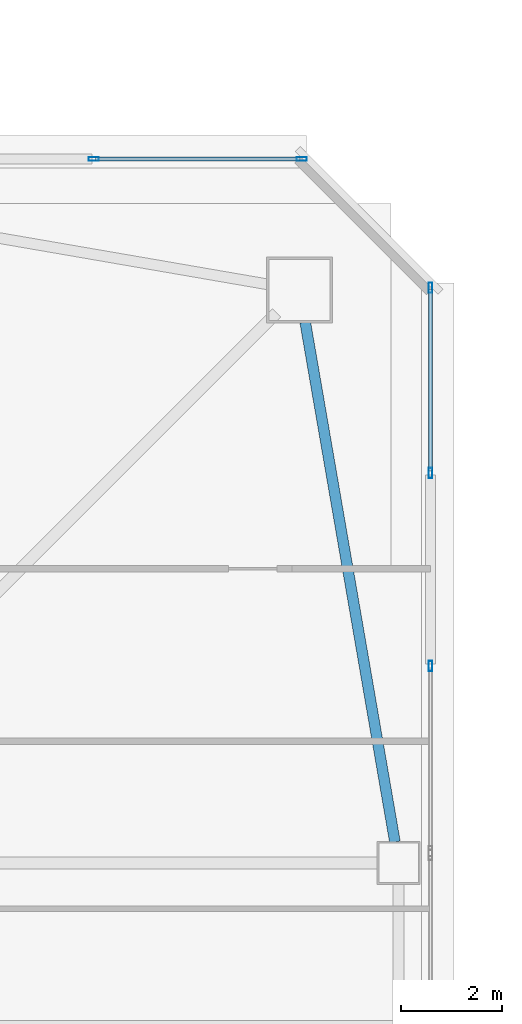
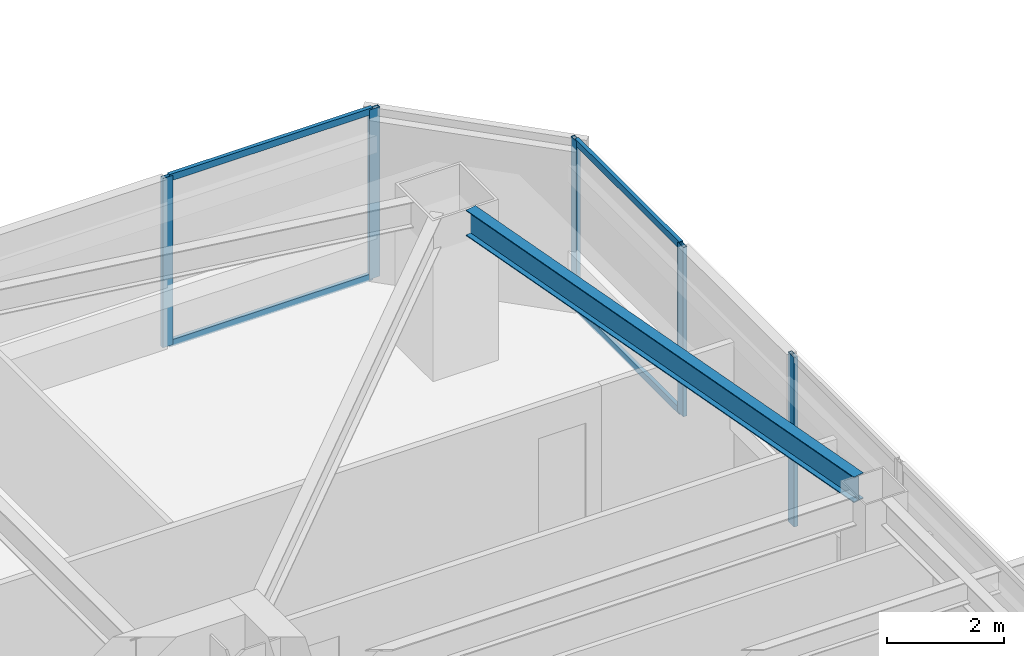
# One storey, part 18 of 46: 9 members, 1 beam, 3 elements without a shape of their own.
"""IFC4 building model written with IfcOpenShell, lengths in metres."""

import ifcopenshell
import ifcopenshell.guid

model = None  # the IFC model being written
_history = None  # IfcOwnerHistory: only IFC2X3 demands one
_inside = {}  # id of a spatial element -> (the spatial element, [elements in it])
_under = {}  # id of a project, library or spatial element -> (it, [spatial elements below it])
_declared = {}  # id of a project -> (the project, [libraries it declares])
_typed = {}  # id of a type object -> (the type object, [elements of that type])
_made_of = {}  # id of a material, layer set ... -> (it, [elements and type objects made of it])


def new_model(schema):
    """Start an empty IFC model of exactly this schema.

    Asked for "IFC4X3", IfcOpenShell would pick the latest addendum, in which some entities
    have other attributes; the version numbers below select the first issue.
    IFC2X3 requires an IfcOwnerHistory on every rooted entity: one is made here for all.
    """
    global model, _history
    if schema == "IFC4X3":
        model = ifcopenshell.file(schema_version=(4, 3, 0, 0))
    else:
        model = ifcopenshell.file(schema=schema)
    _inside.clear()
    _under.clear()
    _declared.clear()
    _typed.clear()
    _made_of.clear()
    _history = None
    if model.schema == "IFC2X3":
        org = make("IfcOrganization", Name="unknown")
        user = make(
            "IfcPersonAndOrganization",
            ThePerson=make("IfcPerson", FamilyName="unknown"),
            TheOrganization=org,
        )
        app = make(
            "IfcApplication",
            ApplicationDeveloper=org,
            Version="unknown",
            ApplicationFullName="unknown",
            ApplicationIdentifier="unknown",
        )
        _history = make(
            "IfcOwnerHistory",
            OwningUser=user,
            OwningApplication=app,
            ChangeAction="ADDED",
            CreationDate=0,
        )
    return model


def make(cls, **values):
    """One entity of the class cls with the attributes given. An attribute that is None is left unset."""
    return model.create_entity(
        cls, **{name: value for name, value in values.items() if value is not None}
    )


def rooted(cls, **values):
    """An entity with a GlobalId (a new one), such as an element, a storey or a relation."""
    return make(cls, GlobalId=ifcopenshell.guid.new(), OwnerHistory=_history, **values)


def si_unit(unit_type, name, prefix=None):
    """IfcSIUnit, for example si_unit("LENGTHUNIT", "METRE", prefix="MILLI")."""
    return make("IfcSIUnit", UnitType=unit_type, Prefix=prefix, Name=name)


def assignment(units):
    """IfcUnitAssignment: the units of a project."""
    return None if units is None else make("IfcUnitAssignment", Units=units)


def point(xyz):
    """IfcCartesianPoint."""
    return None if xyz is None else make("IfcCartesianPoint", Coordinates=xyz)


def direction(xyz):
    """IfcDirection."""
    return None if xyz is None else make("IfcDirection", DirectionRatios=xyz)


def frame(location, z_axis=None, x_axis=None):
    """IfcAxis2Placement3D, a coordinate frame: its origin and axes. An axis left out is left unset."""
    return make(
        "IfcAxis2Placement3D",
        Location=point(location),
        Axis=direction(z_axis),
        RefDirection=direction(x_axis),
    )


def frame_2d(location, x_axis=None):
    """IfcAxis2Placement2D, a coordinate frame in the plane: its origin and x axis."""
    return make(
        "IfcAxis2Placement2D", Location=point(location), RefDirection=direction(x_axis)
    )


def origin():
    """The frame at (0, 0, 0) with its axes left unset."""
    return frame((0.0, 0.0, 0.0))


def origin_2d():
    """The frame at (0, 0) in the plane with its x axis left unset."""
    return frame_2d((0.0, 0.0))


def place(relative_to, where):
    """IfcLocalPlacement: puts the frame where relative to a parent placement (None: the world)."""
    return make(
        "IfcLocalPlacement", PlacementRelTo=relative_to, RelativePlacement=where
    )


def context(
    kind, dimensions, precision=None, world=None, true_north=None, identifier=None
):
    """IfcGeometricRepresentationContext, for example the 3D "Model" context."""
    return make(
        "IfcGeometricRepresentationContext",
        ContextIdentifier=identifier,
        ContextType=kind,
        CoordinateSpaceDimension=dimensions,
        Precision=precision,
        WorldCoordinateSystem=world,
        TrueNorth=true_north,
    )


def subcontext(parent, identifier, kind, view, scale=None):
    """IfcGeometricRepresentationSubContext, for example "Body" below "Model"."""
    return make(
        "IfcGeometricRepresentationSubContext",
        ContextIdentifier=identifier,
        ContextType=kind,
        ParentContext=parent,
        TargetScale=scale,
        TargetView=view,
    )


def project(units=None, contexts=None):
    """IfcProject with its units and contexts."""
    return rooted(
        "IfcProject",
        Name="project",
        RepresentationContexts=contexts,
        UnitsInContext=assignment(units),
    )


def spatial(cls, under=None, at=None, **own):
    """A site, building, storey or space (cls), placed at a placement, below another one or the project."""
    s = rooted(cls, ObjectPlacement=at, **own)
    if under is not None:
        _under.setdefault(under.id(), (under, []))[1].append(s)
    return s


def profile(cls, at=None, kind="AREA", **sizes):
    """A parametric profile (cls). Its sizes go by their IFC names, for example OverallWidth=200.0."""
    return make(cls, ProfileType=kind, Position=at, **sizes)


def hollow_rectangle(**sizes):
    """IfcRectangleHollowProfileDef."""
    return profile("IfcRectangleHollowProfileDef", **sizes)


def i_section(**sizes):
    """IfcIShapeProfileDef."""
    return profile("IfcIShapeProfileDef", **sizes)


def extrude(swept, where, along, depth):
    """IfcExtrudedAreaSolid: the profile swept, set in the frame where, extruded along a direction by depth."""
    return make(
        "IfcExtrudedAreaSolid",
        SweptArea=swept,
        Position=where,
        ExtrudedDirection=direction(along),
        Depth=depth,
    )


def shape(context_of_items, identifier, shape_type, items):
    """IfcShapeRepresentation: the items that make up one representation, for example the "Body"."""
    return make(
        "IfcShapeRepresentation",
        ContextOfItems=context_of_items,
        RepresentationIdentifier=identifier,
        RepresentationType=shape_type,
        Items=items,
    )


def material(Name=None, Category=None):
    """IfcMaterial."""
    return make("IfcMaterial", Name=Name, Category=Category)


def material_profile(
    of_material, cross_section, Name=None, Category=None, Priority=None
):
    """IfcMaterialProfile: a cross section and its material."""
    return make(
        "IfcMaterialProfile",
        Name=Name,
        Material=of_material,
        Profile=cross_section,
        Priority=Priority,
        Category=Category,
    )


def profile_set(profiles, Name=None, composite=None):
    """IfcMaterialProfileSet."""
    return make(
        "IfcMaterialProfileSet",
        Name=Name,
        MaterialProfiles=profiles,
        CompositeProfile=composite,
    )


def made_of(thing, what):
    """Note that an element or type object is made of a material, layer set ...; save() writes the relation."""
    if what is not None:
        _made_of.setdefault(what.id(), (what, []))[1].append(thing)
    return thing


def type_object(cls, material=None, **own):
    """A type object (cls), such as IfcWallType, which elements share."""
    return made_of(rooted(cls, **own), material)


def element(
    cls,
    number,
    at=None,
    inside=None,
    cuts=None,
    type_object=None,
    material=None,
    context=None,
    identifier="Body",
    shape_type=None,
    held_by="IfcProductDefinitionShape",
    body=None,
    shapes=None,
    **own,
):
    """One element of the class cls, such as IfcWall. Its Tag is "e" and its number.

    at: its placement. inside: the storey or other place that contains it. cuts: it is an
    opening in that element (IfcRelVoidsElement). A single representation is given by context,
    identifier, shape_type and body (its items); several are given by shapes. held_by: the class
    of the entity that holds the representations. save() writes the other relations.
    """
    e = rooted(cls, Tag="e%d" % number, ObjectPlacement=at, **own)
    if body is not None:
        shapes = [shape(context, identifier, shape_type, body)]
    if shapes is not None:
        e.Representation = make(held_by, Representations=shapes)
    if inside is not None:
        _inside.setdefault(inside.id(), (inside, []))[1].append(e)
    if cuts is not None:
        rooted(
            "IfcRelVoidsElement", RelatingBuildingElement=cuts, RelatedOpeningElement=e
        )
    if type_object is not None:
        _typed.setdefault(type_object.id(), (type_object, []))[1].append(e)
    return made_of(e, material)


def aggregate(whole, parts):
    """IfcRelAggregates: a whole, such as a stair, and the parts it consists of."""
    return rooted("IfcRelAggregates", RelatingObject=whole, RelatedObjects=parts)


def save(model, path):
    """Write the relations noted so far, then the file.

    IfcRelAggregates (storeys below a building ...), IfcRelContainedInSpatialStructure (elements
    in a storey), IfcRelDefinesByType, IfcRelAssociatesMaterial and IfcRelDeclares: one each for
    every whole, place, type object, material and project.
    """
    for whole, parts in _under.values():
        aggregate(whole, parts)
    for where, things in _inside.values():
        rooted(
            "IfcRelContainedInSpatialStructure",
            RelatedElements=things,
            RelatingStructure=where,
        )
    for kind, things in _typed.values():
        rooted("IfcRelDefinesByType", RelatedObjects=things, RelatingType=kind)
    for what, things in _made_of.values():
        rooted("IfcRelAssociatesMaterial", RelatedObjects=things, RelatingMaterial=what)
    for by, libraries in _declared.values():
        rooted("IfcRelDeclares", RelatingContext=by, RelatedDefinitions=libraries)
    model.write(path)


model = new_model("IFC4")

# Units and contexts
model_context = context("Model", 3, precision=1e-05, world=origin(), true_north=direction((0.0, 1.0)))
body_context = subcontext(model_context, "Body", "Model", "MODEL_VIEW")
ifc_project = project(units=[si_unit("LENGTHUNIT", "METRE"), si_unit("AREAUNIT", "SQUARE_METRE"), si_unit("VOLUMEUNIT", "CUBIC_METRE"), si_unit("PLANEANGLEUNIT", "RADIAN"), si_unit("MASSUNIT", "GRAM", prefix="KILO")], contexts=[model_context])

# Site, building, storey
site_placement = place(None, origin())
site = spatial("IfcSite", under=ifc_project, at=site_placement, CompositionType="ELEMENT")
building_placement = place(site_placement, origin())
building = spatial("IfcBuilding", under=site, at=building_placement, Name="Tashvorn Skyway Center", CompositionType="ELEMENT")
storey_placement = place(building_placement, frame((0.0, 0.0, 139.25)))
storey = spatial("IfcBuildingStorey", under=building, at=storey_placement, Name="L37", CompositionType="ELEMENT", Elevation=139.25)

# Beam
ifc_material_1 = material(Name="Steel ASTM A992 Grade 50", Category="steel")
ifc_material_profile_1 = material_profile(ifc_material_1, i_section(OverallWidth=0.2109375, OverallDepth=0.5390625, WebThickness=0.01171875, FlangeThickness=0.018798828125, at=origin_2d()), Name="W21X73")
ifc_profile_set_1 = profile_set([ifc_material_profile_1], Name="Steel ASTM A992 Grade 50")
beam_type = type_object("IfcBeamType", Name="BM-SPANDREL-W21X73", PredefinedType="SPANDREL", material=ifc_profile_set_1)
beam_placement = place(storey_placement, frame((60.57861328125, 37.81396484375, 3.1005859375), z_axis=(-0.170067250846, 0.985432458462, 0.0), x_axis=(-0.985432458462, -0.170067250846, 0.0)))
element("IfcBeam", 1, at=beam_placement, inside=storey, type_object=beam_type, Name="Tower 1 L37 Spandrel Beam 06", PredefinedType="SPANDREL", context=body_context, shape_type="SweptSolid", body=[
    extrude(i_section(OverallWidth=0.2109375, OverallDepth=0.5390625, WebThickness=0.01171875, FlangeThickness=0.018798828125, at=origin_2d()), origin(), (0.0, 0.0, 1.0), 10.402099609375),
])

# Curtain wall, members
ifc_material_2 = material(Name="Thermally broken bronze-anodized aluminium 6063-T6", Category="aluminium")
curtain_wall_type = type_object("IfcCurtainWallType", Name="CW-CW-Z3", PredefinedType="NOTDEFINED", material=ifc_material_2)
curtain_wall_1_placement = place(storey_placement, origin())
curtain_wall_1 = element("IfcCurtainWall", 2, at=curtain_wall_1_placement, inside=storey, type_object=curtain_wall_type, Name="Tower 1 L37 North Curtain Wall R Glazing Group 2", PredefinedType="NOTDEFINED")
ifc_material_profile_2 = material_profile(ifc_material_2, hollow_rectangle(XDim=0.074951171875, YDim=0.199951171875, WallThickness=0.00439453125, at=origin_2d()), Name="ALU-MULL-75x200")
ifc_profile_set_2 = profile_set([ifc_material_profile_2], Name="Thermally broken bronze-anodized aluminium 6063-T6")
member_type_1 = type_object("IfcMemberType", Name="CWM-CW-Z3", PredefinedType="MULLION", material=ifc_profile_set_2)
member_1_placement = place(storey_placement, frame((54.640869140625, 51.280029296875, 0.0), z_axis=(0.0, 0.0, 1.0), x_axis=(0.0, 1.0, 0.0)))
member_1 = element("IfcMember", 3, at=member_1_placement, type_object=member_type_1, Name="CW-Z3 mullion 1", PredefinedType="MULLION", context=body_context, shape_type="SweptSolid", body=[
    extrude(hollow_rectangle(XDim=0.074951171875, YDim=0.199951171875, WallThickness=0.00439453125, at=origin_2d()), origin(), (0.0, 0.0, 1.0), 3.550048828125),
])
member_2_placement = place(storey_placement, frame((58.742431640625, 51.280029296875, 0.0), z_axis=(0.0, 0.0, 1.0), x_axis=(0.0, 1.0, 0.0)))
member_2 = element("IfcMember", 4, at=member_2_placement, type_object=member_type_1, Name="CW-Z3 mullion 2", PredefinedType="MULLION", context=body_context, shape_type="SweptSolid", body=[
    extrude(hollow_rectangle(XDim=0.074951171875, YDim=0.199951171875, WallThickness=0.00439453125, at=origin_2d()), origin(), (0.0, 0.0, 1.0), 3.550048828125),
])

curtain_wall_2_placement = place(storey_placement, origin())
curtain_wall_2 = element("IfcCurtainWall", 5, at=curtain_wall_2_placement, inside=storey, type_object=curtain_wall_type, Name="Tower 1 L37 East Unitised Curtain Wall Glazing Group 1", PredefinedType="NOTDEFINED")
member_3_placement = place(storey_placement, frame((61.280029296875, 48.742431640625, 0.0), z_axis=(0.0, 0.0, 1.0), x_axis=(1.0, 0.0, 0.0)))
member_3 = element("IfcMember", 6, at=member_3_placement, type_object=member_type_1, Name="CW-Z3 mullion 1", PredefinedType="MULLION", context=body_context, shape_type="SweptSolid", body=[
    extrude(hollow_rectangle(XDim=0.074951171875, YDim=0.199951171875, WallThickness=0.00439453125, at=origin_2d()), origin(), (0.0, 0.0, 1.0), 3.550048828125),
])
member_4_placement = place(storey_placement, frame((61.280029296875, 45.088623046875, 0.0), z_axis=(0.0, 0.0, 1.0), x_axis=(1.0, 0.0, 0.0)))
member_4 = element("IfcMember", 7, at=member_4_placement, type_object=member_type_1, Name="CW-Z3 mullion 2", PredefinedType="MULLION", context=body_context, shape_type="SweptSolid", body=[
    extrude(hollow_rectangle(XDim=0.074951171875, YDim=0.199951171875, WallThickness=0.00439453125, at=origin_2d()), origin(), (0.0, 0.0, 1.0), 3.550048828125),
])

# Curtain wall, member
curtain_wall_3_placement = place(storey_placement, origin())
curtain_wall_3 = element("IfcCurtainWall", 8, at=curtain_wall_3_placement, inside=storey, type_object=curtain_wall_type, Name="Tower 1 L37 East Unitised Curtain Wall Glazing Group 2", PredefinedType="NOTDEFINED")
member_5_placement = place(storey_placement, frame((61.280029296875, 41.28466796875, 0.0), z_axis=(0.0, 0.0, 1.0), x_axis=(1.0, 0.0, 0.0)))
member_5 = element("IfcMember", 9, at=member_5_placement, type_object=member_type_1, Name="CW-Z3 mullion 1", PredefinedType="MULLION", context=body_context, shape_type="SweptSolid", body=[
    extrude(hollow_rectangle(XDim=0.074951171875, YDim=0.199951171875, WallThickness=0.00439453125, at=origin_2d()), origin(), (0.0, 0.0, 1.0), 3.550048828125),
])
aggregate(curtain_wall_3, [member_5])

# Member
ifc_material_profile_3 = material_profile(ifc_material_2, hollow_rectangle(XDim=0.074951171875, YDim=0.139892578125, WallThickness=0.004150390625, at=origin_2d()), Name="ALU-TRAN-75x140")
ifc_profile_set_3 = profile_set([ifc_material_profile_3], Name="Thermally broken bronze-anodized aluminium 6063-T6")
member_type_2 = type_object("IfcMemberType", Name="CWT-CW-Z3", PredefinedType="USERDEFINED", material=ifc_profile_set_3)
member_6_placement = place(storey_placement, frame((54.67822265625, 51.280029296875, 0.03759765625), z_axis=(1.0, 0.0, 0.0), x_axis=(0.0, 1.0, 0.0)))
member_6 = element("IfcMember", 10, at=member_6_placement, type_object=member_type_2, Name="CW-Z3 transom 1.1", ObjectType="TRANSOM", PredefinedType="USERDEFINED", context=body_context, shape_type="SweptSolid", body=[
    extrude(hollow_rectangle(XDim=0.074951171875, YDim=0.139892578125, WallThickness=0.004150390625, at=origin_2d()), origin(), (0.0, 0.0, 1.0), 4.02685546875),
])

member_7_placement = place(storey_placement, frame((54.67822265625, 51.280029296875, 3.512451171875), z_axis=(1.0, 0.0, 0.0), x_axis=(0.0, 1.0, 0.0)))
member_7 = element("IfcMember", 11, at=member_7_placement, type_object=member_type_2, Name="CW-Z3 transom 1.2", ObjectType="TRANSOM", PredefinedType="USERDEFINED", context=body_context, shape_type="SweptSolid", body=[
    extrude(hollow_rectangle(XDim=0.074951171875, YDim=0.139892578125, WallThickness=0.004150390625, at=origin_2d()), origin(), (0.0, 0.0, 1.0), 4.02685546875),
])

aggregate(curtain_wall_1, [member_1, member_2, member_6, member_7])

member_8_placement = place(storey_placement, frame((61.280029296875, 48.705078125, 0.03759765625), z_axis=(0.0, -1.0, 0.0), x_axis=(1.0, 0.0, 0.0)))
member_8 = element("IfcMember", 12, at=member_8_placement, type_object=member_type_2, Name="CW-Z3 transom 1.1", ObjectType="TRANSOM", PredefinedType="USERDEFINED", context=body_context, shape_type="SweptSolid", body=[
    extrude(hollow_rectangle(XDim=0.074951171875, YDim=0.139892578125, WallThickness=0.004150390625, at=origin_2d()), origin(), (0.0, 0.0, 1.0), 3.578857421875),
])

member_9_placement = place(storey_placement, frame((61.280029296875, 48.705078125, 3.512451171875), z_axis=(0.0, -1.0, 0.0), x_axis=(1.0, 0.0, 0.0)))
member_9 = element("IfcMember", 13, at=member_9_placement, type_object=member_type_2, Name="CW-Z3 transom 1.2", ObjectType="TRANSOM", PredefinedType="USERDEFINED", context=body_context, shape_type="SweptSolid", body=[
    extrude(hollow_rectangle(XDim=0.074951171875, YDim=0.139892578125, WallThickness=0.004150390625, at=origin_2d()), origin(), (0.0, 0.0, 1.0), 3.578857421875),
])

aggregate(curtain_wall_2, [member_3, member_4, member_8, member_9])

save(model, "model.ifc")
